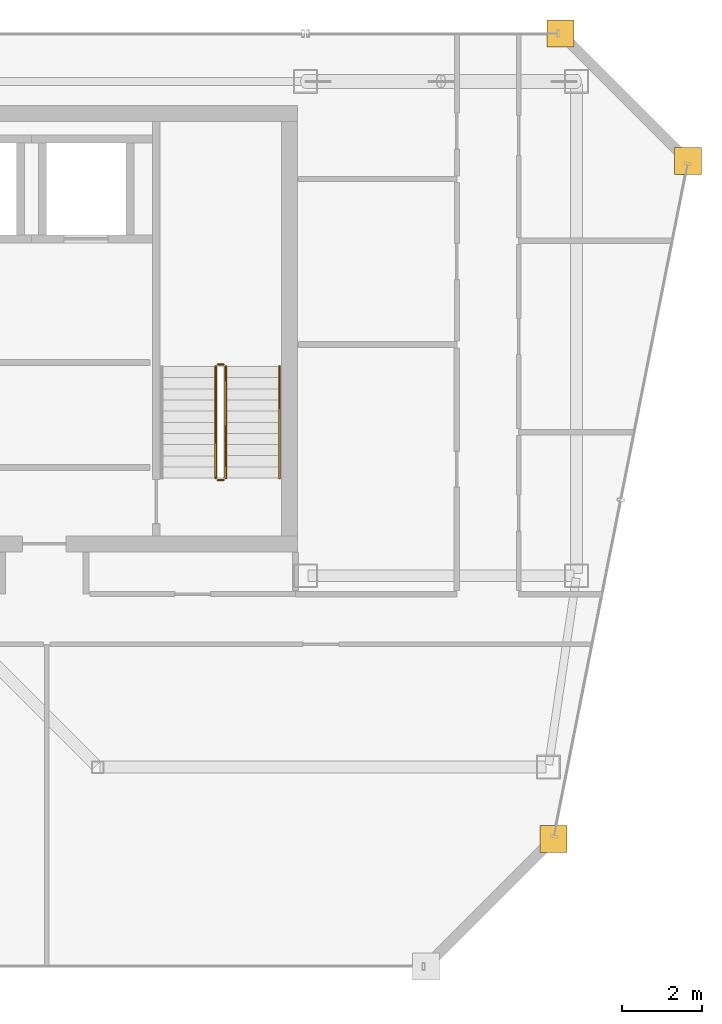
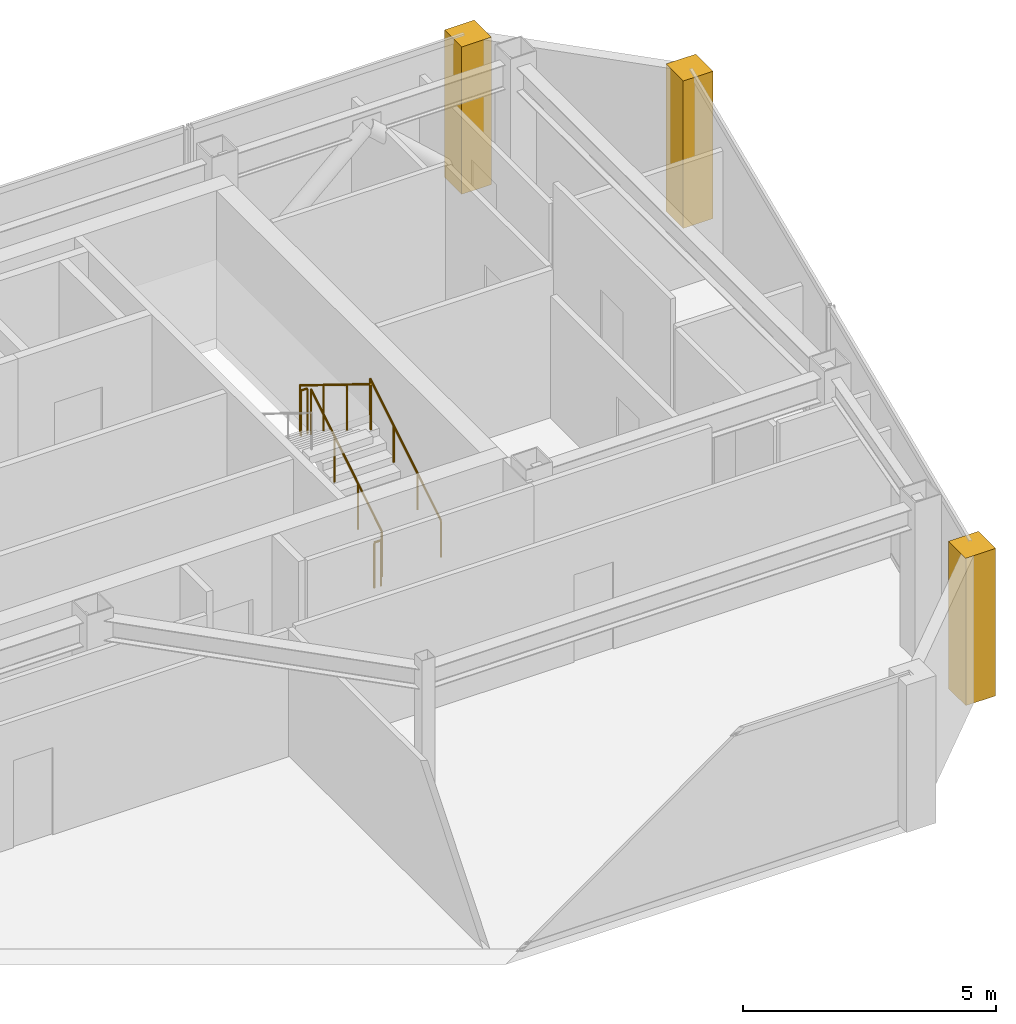
# One storey, part 23 of 23: 5 railings, 3 coverings.
"""IFC4 building model written with IfcOpenShell, lengths in metres."""

from ifc_helpers import new_model, si_unit, direction, frame, origin, origin_2d, place, context, subcontext, project, spatial, polyline, circle, outline, extrude, material, layer, layer_set, type_object, element, save


model = new_model("IFC4")

# Units and contexts
model_context = context("Model", 3, precision=1e-05, world=origin(), true_north=direction((0.0, 1.0)))
body_context = subcontext(model_context, "Body", "Model", "MODEL_VIEW")
ifc_project = project(units=[si_unit("LENGTHUNIT", "METRE"), si_unit("AREAUNIT", "SQUARE_METRE"), si_unit("VOLUMEUNIT", "CUBIC_METRE"), si_unit("PLANEANGLEUNIT", "RADIAN"), si_unit("MASSUNIT", "GRAM", prefix="KILO")], contexts=[model_context])

# Site, building, storey
site_placement = place(None, origin())
site = spatial("IfcSite", under=ifc_project, at=site_placement, CompositionType="ELEMENT")
building_placement = place(site_placement, origin())
building = spatial("IfcBuilding", under=site, at=building_placement, Name="Saevonmaru Cultural Tower", CompositionType="ELEMENT")
storey_placement = place(building_placement, frame((0.0, 0.0, 302.800048828125)))
storey = spatial("IfcBuildingStorey", under=building, at=storey_placement, Name="L72", CompositionType="ELEMENT", Elevation=302.800048828125)

# Coverings
ifc_material_1 = material(Name="Satin Bronze Anodised Aluminium", Category="aluminium")
ifc_layer = layer(ifc_material_1, 0.679931640625, Name="Satin Bronze Anodised Aluminium")
ifc_layer_set = layer_set([ifc_layer], Name="Satin Bronze Anodised Aluminium")
covering_type = type_object("IfcCoveringType", Name="CV-CORNER-CLAD", PredefinedType="CLADDING", material=ifc_layer_set)
covering_1_placement = place(storey_placement, origin())
element("IfcCovering", 1, at=covering_1_placement, inside=storey, type_object=covering_type, Name="L72 Tower Bronze Corner Cladding Pier 8", PredefinedType="CLADDING", context=body_context, shape_type="SweptSolid", body=[
    extrude(outline(polyline([(52.280029296875, 35.4599609375), (52.9599609375, 35.4599609375), (52.9599609375, 36.139892578125), (52.280029296875, 36.139892578125), (52.280029296875, 35.4599609375)])), origin(), (0.0, 0.0, 1.0), 3.550048828125),
])
covering_2_placement = place(storey_placement, origin())
element("IfcCovering", 2, at=covering_2_placement, inside=storey, type_object=covering_type, Name="L72 Tower Bronze Corner Cladding Pier 9", PredefinedType="CLADDING", context=body_context, shape_type="SweptSolid", body=[
    extrude(outline(polyline([(55.659912109375, 52.4599609375), (56.340087890625, 52.4599609375), (56.340087890625, 53.139892578125), (55.659912109375, 53.139892578125), (55.659912109375, 52.4599609375)])), origin(), (0.0, 0.0, 1.0), 3.550048828125),
])
covering_3_placement = place(storey_placement, origin())
element("IfcCovering", 3, at=covering_3_placement, inside=storey, type_object=covering_type, Name="L72 Tower Bronze Corner Cladding Pier 10", PredefinedType="CLADDING", context=body_context, shape_type="SweptSolid", body=[
    extrude(outline(polyline([(52.4599609375, 55.659912109375), (53.139892578125, 55.659912109375), (53.139892578125, 56.340087890625), (52.4599609375, 56.340087890625), (52.4599609375, 55.659912109375)])), origin(), (0.0, 0.0, 1.0), 3.550048828125),
])

# Railings
ifc_material_2 = material(Name="Architectural Painted Steel", Category="steel")
railing_type_1 = type_object("IfcRailingType", Name="RL-STAIR-GUARD", PredefinedType="GUARDRAIL", material=ifc_material_2)
railing_1_placement = place(storey_placement, frame((44.39990234375, 44.85009765625, 0.172607421875)))
element("IfcRailing", 4, at=railing_1_placement, inside=storey, type_object=railing_type_1, Name="L72 ST-2 stair guard 1", PredefinedType="GUARDRAIL", context=body_context, shape_type="SweptSolid", body=[
    extrude(circle(Radius=0.02392578125, at=origin_2d()), frame((0.0, 0.0, 1.09619140625), z_axis=(0.0, 0.851069175582, 0.525053576669), x_axis=(-1.0, 0.0, 0.0)), (0.0, 0.0, 1.0), 3.289794921875),
    extrude(circle(Radius=0.02099609375, at=origin_2d()), origin(), (0.0, 0.0, 1.0), 1.072021484375),
    extrude(circle(Radius=0.02099609375, at=origin_2d()), frame((0.0, 0.933349609375, 0.57568359375)), (0.0, 0.0, 1.0), 1.072021484375),
    extrude(circle(Radius=0.02099609375, at=origin_2d()), frame((0.0, 1.866455078125, 1.151611328125)), (0.0, 0.0, 1.0), 1.072021484375),
    extrude(circle(Radius=0.02099609375, at=origin_2d()), frame((0.0, 2.7998046875, 1.727294921875)), (0.0, 0.0, 1.0), 1.072021484375),
])
railing_2_placement = place(storey_placement, frame((44.35009765625, 47.699951171875, 1.89990234375)))
element("IfcRailing", 5, at=railing_2_placement, inside=storey, type_object=railing_type_1, Name="L72 ST-2 stair guard 2", PredefinedType="GUARDRAIL", context=body_context, shape_type="SweptSolid", body=[
    extrude(circle(Radius=0.02392578125, at=origin_2d()), frame((0.0, 0.0, 1.09619140625), z_axis=(-1.0, 0.0, 0.0), x_axis=(0.0, -1.0, 0.0)), (0.0, 0.0, 1.0), 0.150146484375),
    extrude(circle(Radius=0.02099609375, at=origin_2d()), origin(), (0.0, 0.0, 1.0), 1.072021484375),
    extrude(circle(Radius=0.02099609375, at=origin_2d()), frame((-0.150146484375, 0.0, 0.0)), (0.0, 0.0, 1.0), 1.072021484375),
])
railing_3_placement = place(storey_placement, frame((44.14990234375, 47.64990234375, 2.07275390625)))
element("IfcRailing", 6, at=railing_3_placement, inside=storey, type_object=railing_type_1, Name="L72 ST-2 stair guard 3", PredefinedType="GUARDRAIL", context=body_context, shape_type="SweptSolid", body=[
    extrude(circle(Radius=0.02392578125, at=origin_2d()), frame((0.0, 0.0, 1.09619140625), z_axis=(0.0, -0.851069175582, 0.525053576669), x_axis=(1.0, 0.0, 0.0)), (0.0, 0.0, 1.0), 3.289794921875),
    extrude(circle(Radius=0.02099609375, at=origin_2d()), origin(), (0.0, 0.0, 1.0), 1.072021484375),
    extrude(circle(Radius=0.02099609375, at=origin_2d()), frame((0.0, -0.933349609375, 0.57568359375)), (0.0, 0.0, 1.0), 1.072021484375),
    extrude(circle(Radius=0.02099609375, at=origin_2d()), frame((0.0, -1.866455078125, 1.151611328125)), (0.0, 0.0, 1.0), 1.072021484375),
    extrude(circle(Radius=0.02099609375, at=origin_2d()), frame((0.0, -2.7998046875, 1.727294921875)), (0.0, 0.0, 1.0), 1.072021484375),
])
railing_4_placement = place(storey_placement, frame((44.35009765625, 44.800048828125, 0.0)))
element("IfcRailing", 7, at=railing_4_placement, inside=storey, type_object=railing_type_1, Name="L72 ST-2 stair guard 4", PredefinedType="GUARDRAIL", context=body_context, shape_type="SweptSolid", body=[
    extrude(circle(Radius=0.02392578125, at=origin_2d()), frame((0.0, 0.0, 1.09619140625), z_axis=(-1.0, 0.0, 0.0), x_axis=(0.0, -1.0, 0.0)), (0.0, 0.0, 1.0), 0.150146484375),
    extrude(circle(Radius=0.02099609375, at=origin_2d()), origin(), (0.0, 0.0, 1.0), 1.072021484375),
    extrude(circle(Radius=0.02099609375, at=origin_2d()), frame((-0.150146484375, 0.0, 0.0)), (0.0, 0.0, 1.0), 1.072021484375),
])
railing_type_2 = type_object("IfcRailingType", Name="RL-STAIR-HANDRAIL", PredefinedType="HANDRAIL", material=ifc_material_1)
railing_5_placement = place(storey_placement, frame((45.75, 44.85009765625, 0.172607421875)))
element("IfcRailing", 8, at=railing_5_placement, inside=storey, type_object=railing_type_2, Name="L72 ST-2 stair handrail 1", PredefinedType="HANDRAIL", context=body_context, shape_type="SweptSolid", body=[
    extrude(circle(Radius=0.02392578125, at=origin_2d()), frame((0.0, 0.0, 0.8759765625), z_axis=(0.0, 0.851069175582, 0.525053576669), x_axis=(-1.0, 0.0, 0.0)), (0.0, 0.0, 1.0), 3.289794921875),
    extrude(circle(Radius=0.02099609375, at=origin_2d()), origin(), (0.0, 0.0, 1.0), 0.851806640625),
    extrude(circle(Radius=0.02099609375, at=origin_2d()), frame((0.0, 0.933349609375, 0.57568359375)), (0.0, 0.0, 1.0), 0.851806640625),
    extrude(circle(Radius=0.02099609375, at=origin_2d()), frame((0.0, 1.866455078125, 1.151611328125)), (0.0, 0.0, 1.0), 0.851806640625),
    extrude(circle(Radius=0.02099609375, at=origin_2d()), frame((0.0, 2.7998046875, 1.727294921875)), (0.0, 0.0, 1.0), 0.851806640625),
])

save(model, "model.ifc")
